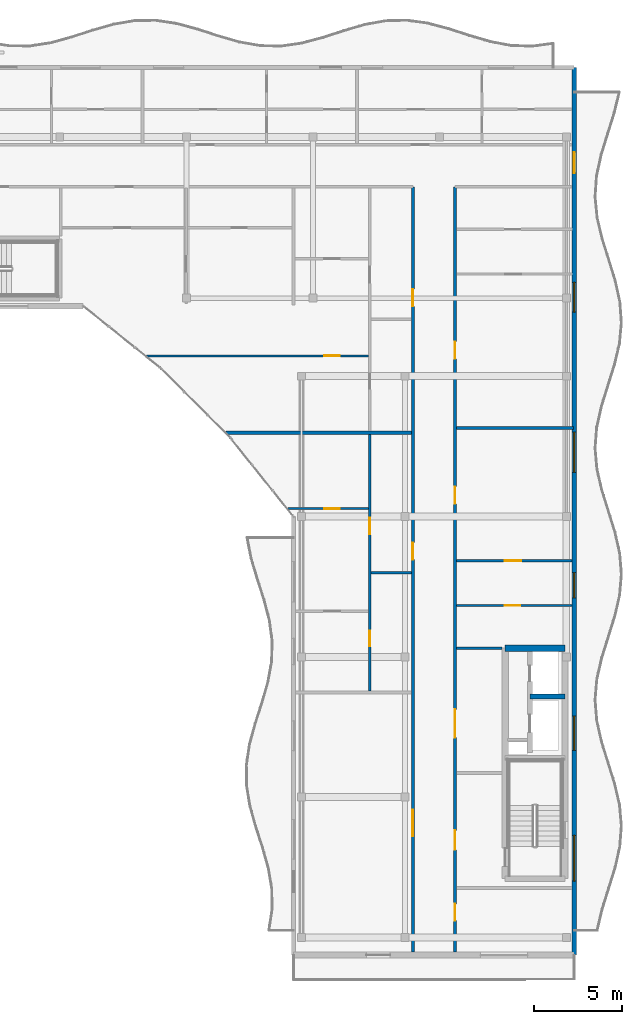
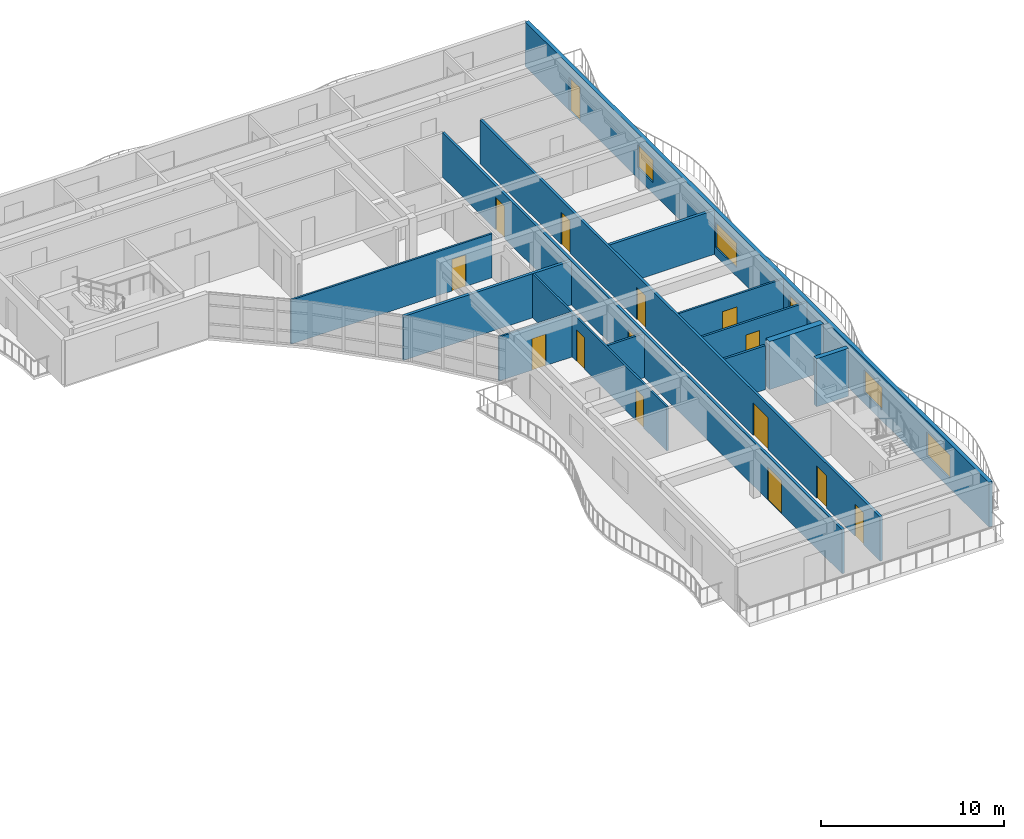
# One storey, part 11 of 18: 15 doors, 14 walls, 5 windows, 20 openings.
"""IFC4 building model written with IfcOpenShell, lengths in metres."""

import ifcopenshell
import ifcopenshell.guid

model = None  # the IFC model being written
_history = None  # IfcOwnerHistory: only IFC2X3 demands one
_inside = {}  # id of a spatial element -> (the spatial element, [elements in it])
_under = {}  # id of a project, library or spatial element -> (it, [spatial elements below it])
_declared = {}  # id of a project -> (the project, [libraries it declares])
_typed = {}  # id of a type object -> (the type object, [elements of that type])
_made_of = {}  # id of a material, layer set ... -> (it, [elements and type objects made of it])


def new_model(schema):
    """Start an empty IFC model of exactly this schema.

    Asked for "IFC4X3", IfcOpenShell would pick the latest addendum, in which some entities
    have other attributes; the version numbers below select the first issue.
    IFC2X3 requires an IfcOwnerHistory on every rooted entity: one is made here for all.
    """
    global model, _history
    if schema == "IFC4X3":
        model = ifcopenshell.file(schema_version=(4, 3, 0, 0))
    else:
        model = ifcopenshell.file(schema=schema)
    _inside.clear()
    _under.clear()
    _declared.clear()
    _typed.clear()
    _made_of.clear()
    _history = None
    if model.schema == "IFC2X3":
        org = make("IfcOrganization", Name="unknown")
        user = make(
            "IfcPersonAndOrganization",
            ThePerson=make("IfcPerson", FamilyName="unknown"),
            TheOrganization=org,
        )
        app = make(
            "IfcApplication",
            ApplicationDeveloper=org,
            Version="unknown",
            ApplicationFullName="unknown",
            ApplicationIdentifier="unknown",
        )
        _history = make(
            "IfcOwnerHistory",
            OwningUser=user,
            OwningApplication=app,
            ChangeAction="ADDED",
            CreationDate=0,
        )
    return model


def make(cls, **values):
    """One entity of the class cls with the attributes given. An attribute that is None is left unset."""
    return model.create_entity(
        cls, **{name: value for name, value in values.items() if value is not None}
    )


def rooted(cls, **values):
    """An entity with a GlobalId (a new one), such as an element, a storey or a relation."""
    return make(cls, GlobalId=ifcopenshell.guid.new(), OwnerHistory=_history, **values)


def si_unit(unit_type, name, prefix=None):
    """IfcSIUnit, for example si_unit("LENGTHUNIT", "METRE", prefix="MILLI")."""
    return make("IfcSIUnit", UnitType=unit_type, Prefix=prefix, Name=name)


def assignment(units):
    """IfcUnitAssignment: the units of a project."""
    return None if units is None else make("IfcUnitAssignment", Units=units)


def point(xyz):
    """IfcCartesianPoint."""
    return None if xyz is None else make("IfcCartesianPoint", Coordinates=xyz)


def direction(xyz):
    """IfcDirection."""
    return None if xyz is None else make("IfcDirection", DirectionRatios=xyz)


def frame(location, z_axis=None, x_axis=None):
    """IfcAxis2Placement3D, a coordinate frame: its origin and axes. An axis left out is left unset."""
    return make(
        "IfcAxis2Placement3D",
        Location=point(location),
        Axis=direction(z_axis),
        RefDirection=direction(x_axis),
    )


def frame_2d(location, x_axis=None):
    """IfcAxis2Placement2D, a coordinate frame in the plane: its origin and x axis."""
    return make(
        "IfcAxis2Placement2D", Location=point(location), RefDirection=direction(x_axis)
    )


def origin():
    """The frame at (0, 0, 0) with its axes left unset."""
    return frame((0.0, 0.0, 0.0))


def place(relative_to, where):
    """IfcLocalPlacement: puts the frame where relative to a parent placement (None: the world)."""
    return make(
        "IfcLocalPlacement", PlacementRelTo=relative_to, RelativePlacement=where
    )


def context(
    kind, dimensions, precision=None, world=None, true_north=None, identifier=None
):
    """IfcGeometricRepresentationContext, for example the 3D "Model" context."""
    return make(
        "IfcGeometricRepresentationContext",
        ContextIdentifier=identifier,
        ContextType=kind,
        CoordinateSpaceDimension=dimensions,
        Precision=precision,
        WorldCoordinateSystem=world,
        TrueNorth=true_north,
    )


def subcontext(parent, identifier, kind, view, scale=None):
    """IfcGeometricRepresentationSubContext, for example "Body" below "Model"."""
    return make(
        "IfcGeometricRepresentationSubContext",
        ContextIdentifier=identifier,
        ContextType=kind,
        ParentContext=parent,
        TargetScale=scale,
        TargetView=view,
    )


def project(units=None, contexts=None):
    """IfcProject with its units and contexts."""
    return rooted(
        "IfcProject",
        Name="project",
        RepresentationContexts=contexts,
        UnitsInContext=assignment(units),
    )


def spatial(cls, under=None, at=None, **own):
    """A site, building, storey or space (cls), placed at a placement, below another one or the project."""
    s = rooted(cls, ObjectPlacement=at, **own)
    if under is not None:
        _under.setdefault(under.id(), (under, []))[1].append(s)
    return s


def profile(cls, at=None, kind="AREA", **sizes):
    """A parametric profile (cls). Its sizes go by their IFC names, for example OverallWidth=200.0."""
    return make(cls, ProfileType=kind, Position=at, **sizes)


def rectangle(**sizes):
    """IfcRectangleProfileDef."""
    return profile("IfcRectangleProfileDef", **sizes)


def extrude(swept, where, along, depth):
    """IfcExtrudedAreaSolid: the profile swept, set in the frame where, extruded along a direction by depth."""
    return make(
        "IfcExtrudedAreaSolid",
        SweptArea=swept,
        Position=where,
        ExtrudedDirection=direction(along),
        Depth=depth,
    )


def shape(context_of_items, identifier, shape_type, items):
    """IfcShapeRepresentation: the items that make up one representation, for example the "Body"."""
    return make(
        "IfcShapeRepresentation",
        ContextOfItems=context_of_items,
        RepresentationIdentifier=identifier,
        RepresentationType=shape_type,
        Items=items,
    )


def material(Name=None, Category=None):
    """IfcMaterial."""
    return make("IfcMaterial", Name=Name, Category=Category)


def layer(
    of_material, thickness, ventilated=None, Name=None, Category=None, Priority=None
):
    """IfcMaterialLayer: one layer of a wall or slab, of a material (None: an air gap)."""
    return make(
        "IfcMaterialLayer",
        Material=of_material,
        LayerThickness=thickness,
        IsVentilated=ventilated,
        Name=Name,
        Category=Category,
        Priority=Priority,
    )


def layer_set(layers, Name=None):
    """IfcMaterialLayerSet."""
    return make("IfcMaterialLayerSet", MaterialLayers=layers, LayerSetName=Name)


def made_of(thing, what):
    """Note that an element or type object is made of a material, layer set ...; save() writes the relation."""
    if what is not None:
        _made_of.setdefault(what.id(), (what, []))[1].append(thing)
    return thing


def type_object(cls, material=None, **own):
    """A type object (cls), such as IfcWallType, which elements share."""
    return made_of(rooted(cls, **own), material)


def element(
    cls,
    number,
    at=None,
    inside=None,
    cuts=None,
    type_object=None,
    material=None,
    context=None,
    identifier="Body",
    shape_type=None,
    held_by="IfcProductDefinitionShape",
    body=None,
    shapes=None,
    **own,
):
    """One element of the class cls, such as IfcWall. Its Tag is "e" and its number.

    at: its placement. inside: the storey or other place that contains it. cuts: it is an
    opening in that element (IfcRelVoidsElement). A single representation is given by context,
    identifier, shape_type and body (its items); several are given by shapes. held_by: the class
    of the entity that holds the representations. save() writes the other relations.
    """
    e = rooted(cls, Tag="e%d" % number, ObjectPlacement=at, **own)
    if body is not None:
        shapes = [shape(context, identifier, shape_type, body)]
    if shapes is not None:
        e.Representation = make(held_by, Representations=shapes)
    if inside is not None:
        _inside.setdefault(inside.id(), (inside, []))[1].append(e)
    if cuts is not None:
        rooted(
            "IfcRelVoidsElement", RelatingBuildingElement=cuts, RelatedOpeningElement=e
        )
    if type_object is not None:
        _typed.setdefault(type_object.id(), (type_object, []))[1].append(e)
    return made_of(e, material)


def fill(opening, filler):
    """IfcRelFillsElement: the door or window that sits in an opening."""
    return rooted(
        "IfcRelFillsElement",
        RelatingOpeningElement=opening,
        RelatedBuildingElement=filler,
    )


def aggregate(whole, parts):
    """IfcRelAggregates: a whole, such as a stair, and the parts it consists of."""
    return rooted("IfcRelAggregates", RelatingObject=whole, RelatedObjects=parts)


def save(model, path):
    """Write the relations noted so far, then the file.

    IfcRelAggregates (storeys below a building ...), IfcRelContainedInSpatialStructure (elements
    in a storey), IfcRelDefinesByType, IfcRelAssociatesMaterial and IfcRelDeclares: one each for
    every whole, place, type object, material and project.
    """
    for whole, parts in _under.values():
        aggregate(whole, parts)
    for where, things in _inside.values():
        rooted(
            "IfcRelContainedInSpatialStructure",
            RelatedElements=things,
            RelatingStructure=where,
        )
    for kind, things in _typed.values():
        rooted("IfcRelDefinesByType", RelatedObjects=things, RelatingType=kind)
    for what, things in _made_of.values():
        rooted("IfcRelAssociatesMaterial", RelatedObjects=things, RelatingMaterial=what)
    for by, libraries in _declared.values():
        rooted("IfcRelDeclares", RelatingContext=by, RelatedDefinitions=libraries)
    model.write(path)


model = new_model("IFC4")

# Units and contexts
model_context = context("Model", 3, precision=1e-05, world=origin(), true_north=direction((0.0, 1.0)))
body_context = subcontext(model_context, "Body", "Model", "MODEL_VIEW")
ifc_project = project(units=[si_unit("LENGTHUNIT", "METRE"), si_unit("AREAUNIT", "SQUARE_METRE"), si_unit("VOLUMEUNIT", "CUBIC_METRE"), si_unit("PLANEANGLEUNIT", "RADIAN"), si_unit("MASSUNIT", "GRAM", prefix="KILO")], contexts=[model_context])

# Site, building, storey
site_placement = place(None, origin())
site = spatial("IfcSite", under=ifc_project, at=site_placement, CompositionType="ELEMENT")
building_placement = place(site_placement, origin())
building = spatial("IfcBuilding", under=site, at=building_placement, Name="Keldmere Railside Commons", CompositionType="ELEMENT")
storey_placement = place(building_placement, frame((0.0, 0.0, 39.360107421875)))
storey = spatial("IfcBuildingStorey", under=building, at=storey_placement, Name="L12", CompositionType="ELEMENT", Elevation=39.360107421875)

# Walls
ifc_material_1 = material(Name="Acoustic Gypsum Board Partition", Category="gypsum")
ifc_layer_1 = layer(ifc_material_1, 0.179931640625, Name="Acoustic Demising Partition 180")
ifc_layer_set_1 = layer_set([ifc_layer_1], Name="Acoustic Gypsum Board Partition")
wall_type_1 = type_object("IfcWallType", Name="Acoustic Demising Partition 180", PredefinedType="PARTITIONING", material=ifc_layer_set_1)
wall_1_placement = place(storey_placement, frame((164.152587890625, 92.780029296875, 0.0), z_axis=(0.0, 0.0, 1.0), x_axis=(1.0, 0.0, 0.0)))
element("IfcWall", 1, at=wall_1_placement, inside=storey, type_object=wall_type_1, Name="IW-1 IW-L12-1904", PredefinedType="PARTITIONING", context=body_context, shape_type="SweptSolid", body=[
    extrude(rectangle(XDim=10.5673828125, YDim=0.179931640625, at=frame_2d((5.28369140625, 0.0))), origin(), (0.0, 0.0, 1.0), 2.934814453125),
])
wall_2_placement = place(storey_placement, frame((177.280029296875, 93.050048828125, 0.0), z_axis=(0.0, 0.0, 1.0), x_axis=(1.0, 0.0, 0.0)))
element("IfcWall", 2, at=wall_2_placement, inside=storey, type_object=wall_type_1, Name="IW-1 IW-L12-1927", PredefinedType="PARTITIONING", context=body_context, shape_type="SweptSolid", body=[
    extrude(rectangle(XDim=6.679931640625, YDim=0.179931640625, at=frame_2d((3.33984375, 0.0))), origin(), (0.0, 0.0, 1.0), 2.934814453125),
])

# Wall, openings, doors
ifc_layer_2 = layer(ifc_material_1, 0.1201171875, Name="Apartment Interior Partition 120")
ifc_layer_set_2 = layer_set([ifc_layer_2], Name="Acoustic Gypsum Board Partition")
wall_type_2 = type_object("IfcWallType", Name="Apartment Interior Partition 120", PredefinedType="PARTITIONING", material=ifc_layer_set_2)
wall_3_placement = place(storey_placement, frame((172.340087890625, 78.06005859375, 0.0), z_axis=(0.0, 0.0, 1.0), x_axis=(0.0, 1.0, 0.0)))
wall_3 = element("IfcWall", 3, at=wall_3_placement, inside=storey, type_object=wall_type_2, Name="IW-4 IW-L12-1905", PredefinedType="PARTITIONING", context=body_context, shape_type="SweptSolid", body=[
    extrude(rectangle(XDim=14.6298828125, YDim=0.1201171875, at=frame_2d((7.31494140625, 0.0))), origin(), (0.0, 0.0, 1.0), 2.934814453125),
])
opening_1_placement = place(wall_3_placement, frame((2.557373046875, 0.0, 0.0)))
opening_1 = element("IfcOpeningElement", 4, at=opening_1_placement, cuts=wall_3, Name="Opening ID-04", PredefinedType="OPENING", context=body_context, shape_type="SweptSolid", body=[
    extrude(rectangle(XDim=0.860107421875, YDim=2.10009765625, at=frame_2d((0.43017578125, 1.050048828125))), frame((0.0, 0.070068359375, 0.0), z_axis=(0.0, -1.0, 0.0), x_axis=(1.0, 0.0, 0.0)), (0.0, 0.0, 1.0), 0.14013671875),
])
opening_2_placement = place(wall_3_placement, frame((8.94189453125, 0.0, 0.0)))
opening_2 = element("IfcOpeningElement", 5, at=opening_2_placement, cuts=wall_3, Name="Opening ID-03", PredefinedType="OPENING", context=body_context, shape_type="SweptSolid", body=[
    extrude(rectangle(XDim=0.919921875, YDim=2.10009765625, at=frame_2d((0.4599609375, 1.050048828125))), frame((0.0, 0.070068359375, 0.0), z_axis=(0.0, -1.0, 0.0), x_axis=(1.0, 0.0, 0.0)), (0.0, 0.0, 1.0), 0.14013671875),
])
ifc_material_2 = material(Name="Engineered Oak Timber", Category="wood")
door_type_1 = type_object("IfcDoorType", Name="Apartment Bathroom Door 860x2100", OperationType="NOTDEFINED", PredefinedType="DOOR", material=ifc_material_2)
door_1_placement = place(opening_1_placement, origin())
door_1 = element("IfcDoor", 6, at=door_1_placement, inside=storey, type_object=door_type_1, Name="ID-04 IDR-L12-1742", OperationType="SINGLE_SWING_RIGHT", OverallHeight=2.10009765625, OverallWidth=0.860107421875, PredefinedType="DOOR", context=body_context, shape_type="SweptSolid", body=[
    extrude(rectangle(XDim=0.860107421875, YDim=2.10009765625, at=frame_2d((0.43017578125, 1.050048828125))), frame((0.0, 0.02490234375, 0.0), z_axis=(0.0, -1.0, 0.0), x_axis=(1.0, 0.0, 0.0)), (0.0, 0.0, 1.0), 0.050048828125),
])
fill(opening_1, door_1)
door_type_2 = type_object("IfcDoorType", Name="Kitchen Pocket-Frame Swing Door 920x2100", OperationType="NOTDEFINED", PredefinedType="DOOR", material=ifc_material_2)
door_2_placement = place(opening_2_placement, origin())
door_2 = element("IfcDoor", 7, at=door_2_placement, inside=storey, type_object=door_type_2, Name="ID-03 IDR-L12-1743", OperationType="SINGLE_SWING_LEFT", OverallHeight=2.10009765625, OverallWidth=0.919921875, PredefinedType="DOOR", context=body_context, shape_type="SweptSolid", body=[
    extrude(rectangle(XDim=0.919921875, YDim=2.10009765625, at=frame_2d((0.4599609375, 1.050048828125))), frame((0.0, 0.02490234375, 0.0), z_axis=(0.0, -1.0, 0.0), x_axis=(1.0, 0.0, 0.0)), (0.0, 0.0, 1.0), 0.050048828125),
])
fill(opening_2, door_2)

# Wall, opening, door
wall_4_placement = place(storey_placement, frame((167.690185546875, 88.449951171875, 0.0), z_axis=(0.0, 0.0, 1.0), x_axis=(1.0, 0.0, 0.0)))
wall_4 = element("IfcWall", 8, at=wall_4_placement, inside=storey, type_object=wall_type_2, Name="IW-4 IW-L12-1908", PredefinedType="PARTITIONING", context=body_context, shape_type="SweptSolid", body=[
    extrude(rectangle(XDim=4.58984375, YDim=0.1201171875, at=frame_2d((2.294921875, 0.0))), origin(), (0.0, 0.0, 1.0), 2.934814453125),
])
opening_3_placement = place(wall_4_placement, frame((2.070068359375, 0.0, 0.0)))
opening_3 = element("IfcOpeningElement", 9, at=opening_3_placement, cuts=wall_4, Name="Opening ID-02", PredefinedType="OPENING", context=body_context, shape_type="SweptSolid", body=[
    extrude(rectangle(XDim=0.8798828125, YDim=2.10009765625, at=frame_2d((0.43994140625, 1.050048828125))), frame((0.0, 0.070068359375, 0.0), z_axis=(0.0, -1.0, 0.0), x_axis=(1.0, 0.0, 0.0)), (0.0, 0.0, 1.0), 0.14013671875),
])
door_type_3 = type_object("IfcDoorType", Name="Secondary Bedroom Door 880x2100", OperationType="NOTDEFINED", PredefinedType="DOOR", material=ifc_material_2)
door_3_placement = place(opening_3_placement, origin())
door_3 = element("IfcDoor", 10, at=door_3_placement, inside=storey, type_object=door_type_3, Name="ID-02 IDR-L12-1746", OperationType="SINGLE_SWING_RIGHT", OverallHeight=2.10009765625, OverallWidth=0.8798828125, PredefinedType="DOOR", context=body_context, shape_type="SweptSolid", body=[
    extrude(rectangle(XDim=0.8798828125, YDim=2.10009765625, at=frame_2d((0.43994140625, 1.050048828125))), frame((0.0, 0.02490234375, 0.0), z_axis=(0.0, -1.0, 0.0), x_axis=(1.0, 0.0, 0.0)), (0.0, 0.0, 1.0), 0.050048828125),
])
fill(opening_3, door_3)

wall_5_placement = place(storey_placement, frame((159.60400390625, 97.159912109375, 0.0), z_axis=(0.0, 0.0, 1.0), x_axis=(1.0, 0.0, 0.0)))
wall_5 = element("IfcWall", 11, at=wall_5_placement, inside=storey, type_object=wall_type_2, Name="IW-4 IW-L12-1911", PredefinedType="PARTITIONING", context=body_context, shape_type="SweptSolid", body=[
    extrude(rectangle(XDim=12.676025390625, YDim=0.1201171875, at=frame_2d((6.337890625, 0.0))), origin(), (0.0, 0.0, 1.0), 2.934814453125),
])
opening_4_placement = place(wall_5_placement, frame((10.131103515625, 0.0, 0.0)))
opening_4 = element("IfcOpeningElement", 12, at=opening_4_placement, cuts=wall_5, Name="Opening ID-01", PredefinedType="OPENING", context=body_context, shape_type="SweptSolid", body=[
    extrude(rectangle(XDim=0.89990234375, YDim=2.10009765625, at=frame_2d((0.449951171875, 1.050048828125))), frame((0.0, 0.070068359375, 0.0), z_axis=(0.0, -1.0, 0.0), x_axis=(1.0, 0.0, 0.0)), (0.0, 0.0, 1.0), 0.14013671875),
])
door_type_4 = type_object("IfcDoorType", Name="Primary Bedroom Door 900x2100", OperationType="NOTDEFINED", PredefinedType="DOOR", material=ifc_material_2)
door_4_placement = place(opening_4_placement, origin())
door_4 = element("IfcDoor", 13, at=door_4_placement, inside=storey, type_object=door_type_4, Name="ID-01 IDR-L12-1750", OperationType="SINGLE_SWING_RIGHT", OverallHeight=2.10009765625, OverallWidth=0.89990234375, PredefinedType="DOOR", context=body_context, shape_type="SweptSolid", body=[
    extrude(rectangle(XDim=0.89990234375, YDim=2.10009765625, at=frame_2d((0.449951171875, 1.050048828125))), frame((0.0, 0.02490234375, 0.0), z_axis=(0.0, -1.0, 0.0), x_axis=(1.0, 0.0, 0.0)), (0.0, 0.0, 1.0), 0.050048828125),
])
fill(opening_4, door_4)

wall_6_placement = place(storey_placement, frame((177.280029296875, 85.47998046875, 0.0), z_axis=(0.0, 0.0, 1.0), x_axis=(1.0, 0.0, 0.0)))
wall_6 = element("IfcWall", 14, at=wall_6_placement, inside=storey, type_object=wall_type_2, Name="IW-4 IW-L12-1929", PredefinedType="PARTITIONING", context=body_context, shape_type="SweptSolid", body=[
    extrude(rectangle(XDim=6.599853515625, YDim=0.1201171875, at=frame_2d((3.2998046875, 0.0))), origin(), (0.0, 0.0, 1.0), 2.934814453125),
])
opening_5_placement = place(wall_6_placement, frame((2.77197265625, 0.0, 0.0)))
opening_5 = element("IfcOpeningElement", 15, at=opening_5_placement, cuts=wall_6, Name="Opening ID-03", PredefinedType="OPENING", context=body_context, shape_type="SweptSolid", body=[
    extrude(rectangle(XDim=0.919921875, YDim=2.10009765625, at=frame_2d((0.4599609375, 1.050048828125))), frame((0.0, 0.070068359375, 0.0), z_axis=(0.0, -1.0, 0.0), x_axis=(1.0, 0.0, 0.0)), (0.0, 0.0, 1.0), 0.14013671875),
])
door_5_placement = place(opening_5_placement, origin())
door_5 = element("IfcDoor", 16, at=door_5_placement, inside=storey, type_object=door_type_2, Name="ID-03 IDR-L12-1772", OperationType="SINGLE_SWING_RIGHT", OverallHeight=2.10009765625, OverallWidth=0.919921875, PredefinedType="DOOR", context=body_context, shape_type="SweptSolid", body=[
    extrude(rectangle(XDim=0.919921875, YDim=2.10009765625, at=frame_2d((0.4599609375, 1.050048828125))), frame((0.0, 0.02490234375, 0.0), z_axis=(0.0, -1.0, 0.0), x_axis=(1.0, 0.0, 0.0)), (0.0, 0.0, 1.0), 0.050048828125),
])
fill(opening_5, door_5)

# Walls
ifc_material_3 = material(Name="Concrete H-35 (C35/45)", Category="concrete")
ifc_layer_3 = layer(ifc_material_3, 0.280029296875, Name="Core Shear Wall 280")
ifc_layer_set_3 = layer_set([ifc_layer_3], Name="Concrete H-35 (C35/45)")
wall_type_3 = type_object("IfcWallType", Name="Core Shear Wall 280", PredefinedType="SHEAR", material=ifc_layer_set_3)
wall_7_placement = place(storey_placement, frame((181.469970703125, 77.75, 0.0), z_axis=(0.0, 0.0, 1.0), x_axis=(1.0, 0.0, 0.0)))
element("IfcWall", 17, at=wall_7_placement, inside=storey, type_object=wall_type_3, Name="CSW-2 COREAL-L12-0857", PredefinedType="SHEAR", context=body_context, shape_type="SweptSolid", body=[
    extrude(rectangle(XDim=2.0, YDim=0.280029296875, at=frame_2d((1.0, 0.0))), origin(), (0.0, 0.0, 1.0), 3.199951171875),
])
ifc_material_4 = material(Name="Concrete H-40 (C40/50)", Category="concrete")
ifc_layer_4 = layer(ifc_material_4, 0.3798828125, Name="Core Shear Wall 380")
ifc_layer_set_4 = layer_set([ifc_layer_4], Name="Concrete H-40 (C40/50)")
wall_type_4 = type_object("IfcWallType", Name="Core Shear Wall 380", PredefinedType="SHEAR", material=ifc_layer_set_4)
wall_8_placement = place(storey_placement, frame((180.06005859375, 80.5, 0.0), z_axis=(0.0, 0.0, 1.0), x_axis=(1.0, 0.0, 0.0)))
element("IfcWall", 18, at=wall_8_placement, inside=storey, type_object=wall_type_4, Name="CW-CORE COREAN-L12-0853", PredefinedType="SHEAR", context=body_context, shape_type="SweptSolid", body=[
    extrude(rectangle(XDim=3.409912109375, YDim=0.3798828125, at=frame_2d((1.705078125, 0.0))), origin(), (0.0, 0.0, 1.0), 3.199951171875),
])

# Wall, openings, doors
ifc_layer_5 = layer(ifc_material_1, 0.159912109375, Name="Corridor Fire Partition 160")
ifc_layer_set_5 = layer_set([ifc_layer_5], Name="Acoustic Gypsum Board Partition")
wall_type_5 = type_object("IfcWallType", Name="Corridor Fire Partition 160", PredefinedType="PARTITIONING", material=ifc_layer_set_5)
wall_9_placement = place(storey_placement, frame((174.800048828125, 63.159912109375, 0.0), z_axis=(0.0, 0.0, 1.0), x_axis=(0.0, 1.0, 0.0)))
wall_9 = element("IfcWall", 19, at=wall_9_placement, inside=storey, type_object=wall_type_5, Name="IW-2 IW-L12-1895", PredefinedType="PARTITIONING", context=body_context, shape_type="SweptSolid", body=[
    extrude(rectangle(XDim=43.64013671875, YDim=0.159912109375, at=frame_2d((21.820068359375, 0.0))), origin(), (0.0, 0.0, 1.0), 2.934814453125),
])
opening_6_placement = place(wall_9_placement, frame((6.610107421875, 0.0, 0.0)))
opening_6 = element("IfcOpeningElement", 20, at=opening_6_placement, cuts=wall_9, Name="Opening ID-07", PredefinedType="OPENING", context=body_context, shape_type="SweptSolid", body=[
    extrude(rectangle(XDim=1.5, YDim=2.199951171875, at=frame_2d((0.75, 1.10009765625))), frame((0.0, 0.08984375, 0.0), z_axis=(0.0, -1.0, 0.0), x_axis=(1.0, 0.0, 0.0)), (0.0, 0.0, 1.0), 0.179931640625),
])
opening_7_placement = place(wall_9_placement, frame((22.3798828125, 0.0, 0.0)))
opening_7 = element("IfcOpeningElement", 21, at=opening_7_placement, cuts=wall_9, Name="Opening FD-7", PredefinedType="OPENING", context=body_context, shape_type="SweptSolid", body=[
    extrude(rectangle(XDim=0.97998046875, YDim=2.14990234375, at=frame_2d((0.489990234375, 1.074951171875))), frame((0.0, 0.08984375, 0.0), z_axis=(0.0, -1.0, 0.0), x_axis=(1.0, 0.0, 0.0)), (0.0, 0.0, 1.0), 0.179931640625),
])
opening_8_placement = place(wall_9_placement, frame((36.830078125, 0.0, 0.0)))
opening_8 = element("IfcOpeningElement", 22, at=opening_8_placement, cuts=wall_9, Name="Opening FD-7", PredefinedType="OPENING", context=body_context, shape_type="SweptSolid", body=[
    extrude(rectangle(XDim=0.97998046875, YDim=2.14990234375, at=frame_2d((0.489990234375, 1.074951171875))), frame((0.0, 0.08984375, 0.0), z_axis=(0.0, -1.0, 0.0), x_axis=(1.0, 0.0, 0.0)), (0.0, 0.0, 1.0), 0.179931640625),
])
door_type_5 = type_object("IfcDoorType", Name="Apartment Entrance Acoustic Fire Door 980x2150", OperationType="NOTDEFINED", PredefinedType="DOOR", material=ifc_material_2)
door_6_placement = place(opening_7_placement, origin())
door_6 = element("IfcDoor", 23, at=door_6_placement, inside=storey, type_object=door_type_5, Name="FD-7 IDR-L12-1744", OperationType="SINGLE_SWING_RIGHT", OverallHeight=2.14990234375, OverallWidth=0.97998046875, PredefinedType="DOOR", context=body_context, shape_type="SweptSolid", body=[
    extrude(rectangle(XDim=0.97998046875, YDim=2.14990234375, at=frame_2d((0.489990234375, 1.074951171875))), frame((0.0, 0.02490234375, 0.0), z_axis=(0.0, -1.0, 0.0), x_axis=(1.0, 0.0, 0.0)), (0.0, 0.0, 1.0), 0.050048828125),
])
fill(opening_7, door_6)
door_7_placement = place(opening_8_placement, origin())
door_7 = element("IfcDoor", 24, at=door_7_placement, inside=storey, type_object=door_type_5, Name="FD-7 IDR-L12-1749", OperationType="SINGLE_SWING_LEFT", OverallHeight=2.14990234375, OverallWidth=0.97998046875, PredefinedType="DOOR", context=body_context, shape_type="SweptSolid", body=[
    extrude(rectangle(XDim=0.97998046875, YDim=2.14990234375, at=frame_2d((0.489990234375, 1.074951171875))), frame((0.0, 0.02490234375, 0.0), z_axis=(0.0, -1.0, 0.0), x_axis=(1.0, 0.0, 0.0)), (0.0, 0.0, 1.0), 0.050048828125),
])
fill(opening_8, door_7)
door_type_6 = type_object("IfcDoorType", Name="Resident Lounge Double Door 1500x2200", OperationType="DOUBLE_DOOR_SINGLE_SWING", PredefinedType="DOOR", material=ifc_material_2)
door_8_placement = place(opening_6_placement, origin())
door_8 = element("IfcDoor", 25, at=door_8_placement, inside=storey, type_object=door_type_6, Name="ID-07 IDR-L12-1741", OperationType="DOUBLE_DOOR_SINGLE_SWING", OverallHeight=2.199951171875, OverallWidth=1.5, PredefinedType="DOOR", context=body_context, shape_type="SweptSolid", body=[
    extrude(rectangle(XDim=1.5, YDim=2.199951171875, at=frame_2d((0.75, 1.10009765625))), frame((0.0, 0.02490234375, 0.0), z_axis=(0.0, -1.0, 0.0), x_axis=(1.0, 0.0, 0.0)), (0.0, 0.0, 1.0), 0.050048828125),
])
fill(opening_6, door_8)

wall_10_placement = place(storey_placement, frame((177.199951171875, 63.159912109375, 0.0), z_axis=(0.0, 0.0, 1.0), x_axis=(0.0, 1.0, 0.0)))
wall_10 = element("IfcWall", 26, at=wall_10_placement, inside=storey, type_object=wall_type_5, Name="IW-2 IW-L12-1896", PredefinedType="PARTITIONING", context=body_context, shape_type="SweptSolid", body=[
    extrude(rectangle(XDim=43.64013671875, YDim=0.159912109375, at=frame_2d((21.820068359375, 0.0))), origin(), (0.0, 0.0, 1.0), 2.934814453125),
])
opening_9_placement = place(wall_10_placement, frame((5.840087890625, 0.0, 0.0)))
opening_9 = element("IfcOpeningElement", 27, at=opening_9_placement, cuts=wall_10, Name="Opening FD-2", PredefinedType="OPENING", context=body_context, shape_type="SweptSolid", body=[
    extrude(rectangle(XDim=1.10009765625, YDim=2.14990234375, at=frame_2d((0.550048828125, 1.074951171875))), frame((0.0, 0.08984375, 0.0), z_axis=(0.0, -1.0, 0.0), x_axis=(1.0, 0.0, 0.0)), (0.0, 0.0, 1.0), 0.179931640625),
])
opening_10_placement = place(wall_10_placement, frame((12.239990234375, 0.0, 0.0)))
opening_10 = element("IfcOpeningElement", 28, at=opening_10_placement, cuts=wall_10, Name="Opening FD-4", PredefinedType="OPENING", context=body_context, shape_type="SweptSolid", body=[
    extrude(rectangle(XDim=1.60009765625, YDim=2.14990234375, at=frame_2d((0.800048828125, 1.074951171875))), frame((0.0, 0.08984375, 0.0), z_axis=(0.0, -1.0, 0.0), x_axis=(1.0, 0.0, 0.0)), (0.0, 0.0, 1.0), 0.179931640625),
])
opening_11_placement = place(wall_10_placement, frame((1.800048828125, 0.0, 0.0)))
opening_11 = element("IfcOpeningElement", 29, at=opening_11_placement, cuts=wall_10, Name="Opening ID-08", PredefinedType="OPENING", context=body_context, shape_type="SweptSolid", body=[
    extrude(rectangle(XDim=0.9599609375, YDim=2.14990234375, at=frame_2d((0.47998046875, 1.074951171875))), frame((0.0, 0.08984375, 0.0), z_axis=(0.0, -1.0, 0.0), x_axis=(1.0, 0.0, 0.0)), (0.0, 0.0, 1.0), 0.179931640625),
])
opening_12_placement = place(wall_10_placement, frame((25.570068359375, 0.0, 0.0)))
opening_12 = element("IfcOpeningElement", 30, at=opening_12_placement, cuts=wall_10, Name="Opening FD-7", PredefinedType="OPENING", context=body_context, shape_type="SweptSolid", body=[
    extrude(rectangle(XDim=0.97998046875, YDim=2.14990234375, at=frame_2d((0.489990234375, 1.074951171875))), frame((0.0, 0.08984375, 0.0), z_axis=(0.0, -1.0, 0.0), x_axis=(1.0, 0.0, 0.0)), (0.0, 0.0, 1.0), 0.179931640625),
])
opening_13_placement = place(wall_10_placement, frame((33.830078125, 0.0, 0.0)))
opening_13 = element("IfcOpeningElement", 31, at=opening_13_placement, cuts=wall_10, Name="Opening FD-7", PredefinedType="OPENING", context=body_context, shape_type="SweptSolid", body=[
    extrude(rectangle(XDim=0.97998046875, YDim=2.14990234375, at=frame_2d((0.489990234375, 1.074951171875))), frame((0.0, 0.08984375, 0.0), z_axis=(0.0, -1.0, 0.0), x_axis=(1.0, 0.0, 0.0)), (0.0, 0.0, 1.0), 0.179931640625),
])
door_9_placement = place(opening_12_placement, origin())
door_9 = element("IfcDoor", 32, at=door_9_placement, inside=storey, type_object=door_type_5, Name="FD-7 IDR-L12-1773", OperationType="SINGLE_SWING_LEFT", OverallHeight=2.14990234375, OverallWidth=0.97998046875, PredefinedType="DOOR", context=body_context, shape_type="SweptSolid", body=[
    extrude(rectangle(XDim=0.97998046875, YDim=2.14990234375, at=frame_2d((0.489990234375, 1.074951171875))), frame((0.0, 0.02490234375, 0.0), z_axis=(0.0, -1.0, 0.0), x_axis=(1.0, 0.0, 0.0)), (0.0, 0.0, 1.0), 0.050048828125),
])
fill(opening_12, door_9)
door_10_placement = place(opening_13_placement, origin())
door_10 = element("IfcDoor", 33, at=door_10_placement, inside=storey, type_object=door_type_5, Name="FD-7 IDR-L12-1776", OperationType="SINGLE_SWING_RIGHT", OverallHeight=2.14990234375, OverallWidth=0.97998046875, PredefinedType="DOOR", context=body_context, shape_type="SweptSolid", body=[
    extrude(rectangle(XDim=0.97998046875, YDim=2.14990234375, at=frame_2d((0.489990234375, 1.074951171875))), frame((0.0, 0.02490234375, 0.0), z_axis=(0.0, -1.0, 0.0), x_axis=(1.0, 0.0, 0.0)), (0.0, 0.0, 1.0), 0.050048828125),
])
fill(opening_13, door_10)
ifc_material_5 = material(Name="Steel F-24 (S235)", Category="steel")
door_type_7 = type_object("IfcDoorType", Name="Corridor Cross-Compartment Double Fire Door 1600x2150", OperationType="DOUBLE_DOOR_SINGLE_SWING", PredefinedType="DOOR", material=ifc_material_5)
door_11_placement = place(opening_10_placement, origin())
door_11 = element("IfcDoor", 34, at=door_11_placement, inside=storey, type_object=door_type_7, Name="FD-4 IDR-L12-1740", OperationType="DOUBLE_DOOR_SINGLE_SWING", OverallHeight=2.14990234375, OverallWidth=1.60009765625, PredefinedType="DOOR", context=body_context, shape_type="SweptSolid", body=[
    extrude(rectangle(XDim=1.60009765625, YDim=2.14990234375, at=frame_2d((0.800048828125, 1.074951171875))), frame((0.0, 0.02490234375, 0.0), z_axis=(0.0, -1.0, 0.0), x_axis=(1.0, 0.0, 0.0)), (0.0, 0.0, 1.0), 0.050048828125),
])
fill(opening_10, door_11)
door_type_8 = type_object("IfcDoorType", Name="Firefighting Lobby Fire Door 1100x2150", OperationType="NOTDEFINED", PredefinedType="DOOR", material=ifc_material_5)
door_12_placement = place(opening_9_placement, origin())
door_12 = element("IfcDoor", 35, at=door_12_placement, inside=storey, type_object=door_type_8, Name="FD-2 IDR-L12-1739", OperationType="SINGLE_SWING_LEFT", OverallHeight=2.14990234375, OverallWidth=1.10009765625, PredefinedType="DOOR", context=body_context, shape_type="SweptSolid", body=[
    extrude(rectangle(XDim=1.10009765625, YDim=2.14990234375, at=frame_2d((0.550048828125, 1.074951171875))), frame((0.0, 0.02490234375, 0.0), z_axis=(0.0, -1.0, 0.0), x_axis=(1.0, 0.0, 0.0)), (0.0, 0.0, 1.0), 0.050048828125),
])
fill(opening_9, door_12)
door_type_9 = type_object("IfcDoorType", Name="Study & Meeting Room Door 960x2150", OperationType="NOTDEFINED", PredefinedType="DOOR", material=ifc_material_2)
door_13_placement = place(opening_11_placement, origin())
door_13 = element("IfcDoor", 36, at=door_13_placement, inside=storey, type_object=door_type_9, Name="ID-08 IDR-L12-1770", OperationType="SINGLE_SWING_RIGHT", OverallHeight=2.14990234375, OverallWidth=0.9599609375, PredefinedType="DOOR", context=body_context, shape_type="SweptSolid", body=[
    extrude(rectangle(XDim=0.9599609375, YDim=2.14990234375, at=frame_2d((0.47998046875, 1.074951171875))), frame((0.0, 0.02490234375, 0.0), z_axis=(0.0, -1.0, 0.0), x_axis=(1.0, 0.0, 0.0)), (0.0, 0.0, 1.0), 0.050048828125),
])
fill(opening_11, door_13)

# Wall
ifc_layer_6 = layer(ifc_material_1, 0.14990234375, Name="Lobby Rated Partition 150")
ifc_layer_set_6 = layer_set([ifc_layer_6], Name="Acoustic Gypsum Board Partition")
wall_type_6 = type_object("IfcWallType", Name="Lobby Rated Partition 150", PredefinedType="PARTITIONING", material=ifc_layer_set_6)
wall_11_placement = place(storey_placement, frame((177.280029296875, 80.5, 0.0), z_axis=(0.0, 0.0, 1.0), x_axis=(1.0, 0.0, 0.0)))
element("IfcWall", 37, at=wall_11_placement, inside=storey, type_object=wall_type_6, Name="IW-3 IW-L12-1894", PredefinedType="PARTITIONING", context=body_context, shape_type="SweptSolid", body=[
    extrude(rectangle(XDim=2.590087890625, YDim=0.14990234375, at=frame_2d((1.294921875, 0.0))), origin(), (0.0, 0.0, 1.0), 2.934814453125),
])

# Wall, openings, windows, door
ifc_material_6 = material(Name="Architectural Precast Concrete H-35 (C35/45)", Category="concrete")
ifc_layer_7 = layer(ifc_material_6, 0.239990234375, Name="Sand-Ochre Precast Cavity Wall 240")
ifc_layer_set_7 = layer_set([ifc_layer_7], Name="Architectural Precast Concrete H-35 (C35/45)")
wall_type_7 = type_object("IfcWallType", Name="Sand-Ochre Precast Cavity Wall 240", PredefinedType="SOLIDWALL", material=ifc_layer_set_7)
wall_12_placement = place(storey_placement, frame((184.0, 113.60009765625, 0.0), z_axis=(0.0, 0.0, 1.0), x_axis=(0.0, -1.0, 0.0)))
wall_12 = element("IfcWall", 38, at=wall_12_placement, inside=storey, type_object=wall_type_7, Name="EW-2 EXTA-L12-0959", PredefinedType="SOLIDWALL", context=body_context, shape_type="SweptSolid", body=[
    extrude(rectangle(XDim=50.60009765625, YDim=0.239990234375, at=frame_2d((25.300048828125, 0.0))), origin(), (0.0, 0.0, 1.0), 2.97998046875),
])
opening_14_placement = place(wall_12_placement, frame((4.816650390625, 0.0, 0.0)))
opening_14 = element("IfcOpeningElement", 39, at=opening_14_placement, cuts=wall_12, Name="Opening BD-01", PredefinedType="OPENING", context=body_context, shape_type="SweptSolid", body=[
    extrude(rectangle(XDim=1.199951171875, YDim=2.199951171875, at=frame_2d((0.60009765625, 1.10009765625))), frame((0.0, 0.1298828125, 0.0), z_axis=(0.0, -1.0, 0.0), x_axis=(1.0, 0.0, 0.0)), (0.0, 0.0, 1.0), 0.260009765625),
])
opening_15_placement = place(wall_12_placement, frame((12.25, 0.0, 0.719970703125)))
opening_15 = element("IfcOpeningElement", 40, at=opening_15_placement, cuts=wall_12, Name="Opening WN-20", PredefinedType="OPENING", context=body_context, shape_type="SweptSolid", body=[
    extrude(rectangle(XDim=1.699951171875, YDim=1.5, at=frame_2d((0.85009765625, 0.75))), frame((0.0, 0.1298828125, 0.0), z_axis=(0.0, -1.0, 0.0), x_axis=(1.0, 0.0, 0.0)), (0.0, 0.0, 1.0), 0.260009765625),
])
opening_16_placement = place(wall_12_placement, frame((20.783203125, 0.0, 0.570068359375)))
opening_16 = element("IfcOpeningElement", 41, at=opening_16_placement, cuts=wall_12, Name="Opening WN-23", PredefinedType="OPENING", context=body_context, shape_type="SweptSolid", body=[
    extrude(rectangle(XDim=2.300048828125, YDim=1.64990234375, at=frame_2d((1.14990234375, 0.824951171875))), frame((0.0, 0.1298828125, 0.0), z_axis=(0.0, -1.0, 0.0), x_axis=(1.0, 0.0, 0.0)), (0.0, 0.0, 1.0), 0.260009765625),
])
opening_17_placement = place(wall_12_placement, frame((28.791748046875, 0.0, 0.77001953125)))
opening_17 = element("IfcOpeningElement", 42, at=opening_17_placement, cuts=wall_12, Name="Opening WN-24", PredefinedType="OPENING", context=body_context, shape_type="SweptSolid", body=[
    extrude(rectangle(XDim=1.449951171875, YDim=1.449951171875, at=frame_2d((0.72509765625, 0.72509765625))), frame((0.0, 0.1298828125, 0.0), z_axis=(0.0, -1.0, 0.0), x_axis=(1.0, 0.0, 0.0)), (0.0, 0.0, 1.0), 0.260009765625),
])
opening_18_placement = place(wall_12_placement, frame((36.97509765625, 0.0, 0.719970703125)))
opening_18 = element("IfcOpeningElement", 43, at=opening_18_placement, cuts=wall_12, Name="Opening WN-38", PredefinedType="OPENING", context=body_context, shape_type="SweptSolid", body=[
    extrude(rectangle(XDim=1.949951171875, YDim=1.5, at=frame_2d((0.97509765625, 0.75))), frame((0.0, 0.1298828125, 0.0), z_axis=(0.0, -1.0, 0.0), x_axis=(1.0, 0.0, 0.0)), (0.0, 0.0, 1.0), 0.260009765625),
])
opening_19_placement = place(wall_12_placement, frame((43.783203125, 0.0, 0.669921875)))
opening_19 = element("IfcOpeningElement", 44, at=opening_19_placement, cuts=wall_12, Name="Opening WN-39", PredefinedType="OPENING", context=body_context, shape_type="SweptSolid", body=[
    extrude(rectangle(XDim=2.60009765625, YDim=1.550048828125, at=frame_2d((1.300048828125, 0.77490234375))), frame((0.0, 0.1298828125, 0.0), z_axis=(0.0, -1.0, 0.0), x_axis=(1.0, 0.0, 0.0)), (0.0, 0.0, 1.0), 0.260009765625),
])
ifc_material_7 = material(Name="Low-E Insulated Double Glazing", Category="glass")
window_type_1 = type_object("IfcWindowType", Name="Adaptable Apartment Wide Window 1950x1500", PartitioningType="SINGLE_PANEL", PredefinedType="WINDOW", material=ifc_material_7)
window_1_placement = place(opening_18_placement, origin())
window_1 = element("IfcWindow", 45, at=window_1_placement, inside=storey, type_object=window_type_1, Name="WN-38 WIN-L12-0791", OverallHeight=1.5, OverallWidth=1.949951171875, PartitioningType="SINGLE_PANEL", PredefinedType="WINDOW", context=body_context, shape_type="SweptSolid", body=[
    extrude(rectangle(XDim=1.949951171875, YDim=1.5, at=frame_2d((0.97509765625, 0.75))), frame((0.0, 0.030029296875, 0.0), z_axis=(0.0, -1.0, 0.0), x_axis=(1.0, 0.0, 0.0)), (0.0, 0.0, 1.0), 0.06005859375),
])
fill(opening_18, window_1)
ifc_material_8 = material(Name="Thermally Broken Aluminium", Category="aluminium")
door_type_10 = type_object("IfcDoorType", Name="Apartment Living Wave-Balcony Glazed Door 1200x2200", OperationType="NOTDEFINED", PredefinedType="DOOR", material=ifc_material_8)
door_14_placement = place(opening_14_placement, origin())
door_14 = element("IfcDoor", 46, at=door_14_placement, inside=storey, type_object=door_type_10, Name="BD-01 DR-L12-0286", OperationType="SINGLE_SWING_RIGHT", OverallHeight=2.199951171875, OverallWidth=1.199951171875, PredefinedType="DOOR", context=body_context, shape_type="SweptSolid", body=[
    extrude(rectangle(XDim=1.199951171875, YDim=2.199951171875, at=frame_2d((0.60009765625, 1.10009765625))), frame((0.0, 0.02490234375, 0.0), z_axis=(0.0, -1.0, 0.0), x_axis=(1.0, 0.0, 0.0)), (0.0, 0.0, 1.0), 0.050048828125),
])
fill(opening_14, door_14)
window_type_2 = type_object("IfcWindowType", Name="Setback Terrace Bedroom Window 1450x1450", PartitioningType="SINGLE_PANEL", PredefinedType="WINDOW", material=ifc_material_7)
window_2_placement = place(opening_17_placement, origin())
window_2 = element("IfcWindow", 47, at=window_2_placement, inside=storey, type_object=window_type_2, Name="WN-24 WIN-L12-0790", OverallHeight=1.449951171875, OverallWidth=1.449951171875, PartitioningType="SINGLE_PANEL", PredefinedType="WINDOW", context=body_context, shape_type="SweptSolid", body=[
    extrude(rectangle(XDim=1.449951171875, YDim=1.449951171875, at=frame_2d((0.72509765625, 0.72509765625))), frame((0.0, 0.030029296875, 0.0), z_axis=(0.0, -1.0, 0.0), x_axis=(1.0, 0.0, 0.0)), (0.0, 0.0, 1.0), 0.06005859375),
])
fill(opening_17, window_2)
window_type_3 = type_object("IfcWindowType", Name="Setback Terrace Penthouse Window 2300x1650", PartitioningType="SINGLE_PANEL", PredefinedType="WINDOW", material=ifc_material_7)
window_3_placement = place(opening_16_placement, origin())
window_3 = element("IfcWindow", 48, at=window_3_placement, inside=storey, type_object=window_type_3, Name="WN-23 WIN-L12-0789", OverallHeight=1.64990234375, OverallWidth=2.300048828125, PartitioningType="SINGLE_PANEL", PredefinedType="WINDOW", context=body_context, shape_type="SweptSolid", body=[
    extrude(rectangle(XDim=2.300048828125, YDim=1.64990234375, at=frame_2d((1.14990234375, 0.824951171875))), frame((0.0, 0.030029296875, 0.0), z_axis=(0.0, -1.0, 0.0), x_axis=(1.0, 0.0, 0.0)), (0.0, 0.0, 1.0), 0.06005859375),
])
fill(opening_16, window_3)
window_type_4 = type_object("IfcWindowType", Name="Study Room Quiet Casement Window 1700x1500", PartitioningType="SINGLE_PANEL", PredefinedType="WINDOW", material=ifc_material_7)
window_4_placement = place(opening_15_placement, origin())
window_4 = element("IfcWindow", 49, at=window_4_placement, inside=storey, type_object=window_type_4, Name="WN-20 WIN-L12-0788", OverallHeight=1.5, OverallWidth=1.699951171875, PartitioningType="SINGLE_PANEL", PredefinedType="WINDOW", context=body_context, shape_type="SweptSolid", body=[
    extrude(rectangle(XDim=1.699951171875, YDim=1.5, at=frame_2d((0.85009765625, 0.75))), frame((0.0, 0.030029296875, 0.0), z_axis=(0.0, -1.0, 0.0), x_axis=(1.0, 0.0, 0.0)), (0.0, 0.0, 1.0), 0.06005859375),
])
fill(opening_15, window_4)
window_type_5 = type_object("IfcWindowType", Name="Three-Bed Corner Living Window 2600x1550", PartitioningType="SINGLE_PANEL", PredefinedType="WINDOW", material=ifc_material_7)
window_5_placement = place(opening_19_placement, origin())
window_5 = element("IfcWindow", 50, at=window_5_placement, inside=storey, type_object=window_type_5, Name="WN-39 WIN-L12-0792", OverallHeight=1.550048828125, OverallWidth=2.60009765625, PartitioningType="SINGLE_PANEL", PredefinedType="WINDOW", context=body_context, shape_type="SweptSolid", body=[
    extrude(rectangle(XDim=2.60009765625, YDim=1.550048828125, at=frame_2d((1.300048828125, 0.77490234375))), frame((0.0, 0.030029296875, 0.0), z_axis=(0.0, -1.0, 0.0), x_axis=(1.0, 0.0, 0.0)), (0.0, 0.0, 1.0), 0.06005859375),
])
fill(opening_19, window_5)

# Wall
ifc_layer_8 = layer(ifc_material_1, 0.139892578125, Name="Wet-Room Sanitary Partition 140")
ifc_layer_set_8 = layer_set([ifc_layer_8], Name="Acoustic Gypsum Board Partition")
wall_type_8 = type_object("IfcWallType", Name="Wet-Room Sanitary Partition 140", PredefinedType="PARTITIONING", material=ifc_layer_set_8)
wall_13_placement = place(storey_placement, frame((172.39990234375, 84.7900390625, 0.0), z_axis=(0.0, 0.0, 1.0), x_axis=(1.0, 0.0, 0.0)))
element("IfcWall", 51, at=wall_13_placement, inside=storey, type_object=wall_type_8, Name="IW-5 IW-L12-1906", PredefinedType="PARTITIONING", context=body_context, shape_type="SweptSolid", body=[
    extrude(rectangle(XDim=2.320068359375, YDim=0.139892578125, at=frame_2d((1.16015625, 0.0))), origin(), (0.0, 0.0, 1.0), 2.934814453125),
])

# Wall, opening, door
wall_14_placement = place(storey_placement, frame((177.280029296875, 82.929931640625, 0.0), z_axis=(0.0, 0.0, 1.0), x_axis=(1.0, 0.0, 0.0)))
wall_14 = element("IfcWall", 52, at=wall_14_placement, inside=storey, type_object=wall_type_8, Name="IW-5 IW-L12-1928", PredefinedType="PARTITIONING", context=body_context, shape_type="SweptSolid", body=[
    extrude(rectangle(XDim=6.599853515625, YDim=0.139892578125, at=frame_2d((3.2998046875, 0.0))), origin(), (0.0, 0.0, 1.0), 2.934814453125),
])
opening_20_placement = place(wall_14_placement, frame((2.77197265625, 0.0, 0.0)))
opening_20 = element("IfcOpeningElement", 53, at=opening_20_placement, cuts=wall_14, Name="Opening ID-04", PredefinedType="OPENING", context=body_context, shape_type="SweptSolid", body=[
    extrude(rectangle(XDim=0.860107421875, YDim=2.10009765625, at=frame_2d((0.43017578125, 1.050048828125))), frame((0.0, 0.079833984375, 0.0), z_axis=(0.0, -1.0, 0.0), x_axis=(1.0, 0.0, 0.0)), (0.0, 0.0, 1.0), 0.159912109375),
])
door_15_placement = place(opening_20_placement, origin())
door_15 = element("IfcDoor", 54, at=door_15_placement, inside=storey, type_object=door_type_1, Name="ID-04 IDR-L12-1771", OperationType="SINGLE_SWING_LEFT", OverallHeight=2.10009765625, OverallWidth=0.860107421875, PredefinedType="DOOR", context=body_context, shape_type="SweptSolid", body=[
    extrude(rectangle(XDim=0.860107421875, YDim=2.10009765625, at=frame_2d((0.43017578125, 1.050048828125))), frame((0.0, 0.02490234375, 0.0), z_axis=(0.0, -1.0, 0.0), x_axis=(1.0, 0.0, 0.0)), (0.0, 0.0, 1.0), 0.050048828125),
])
fill(opening_20, door_15)

save(model, "model.ifc")
